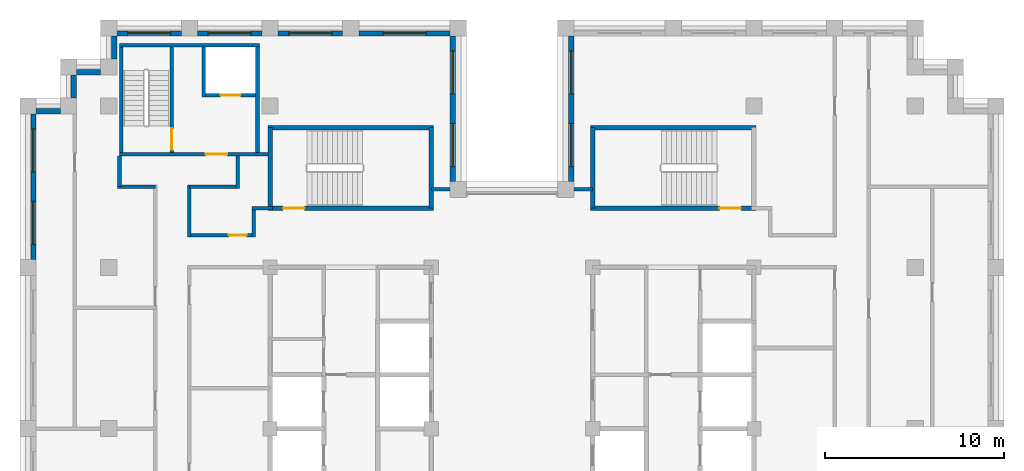
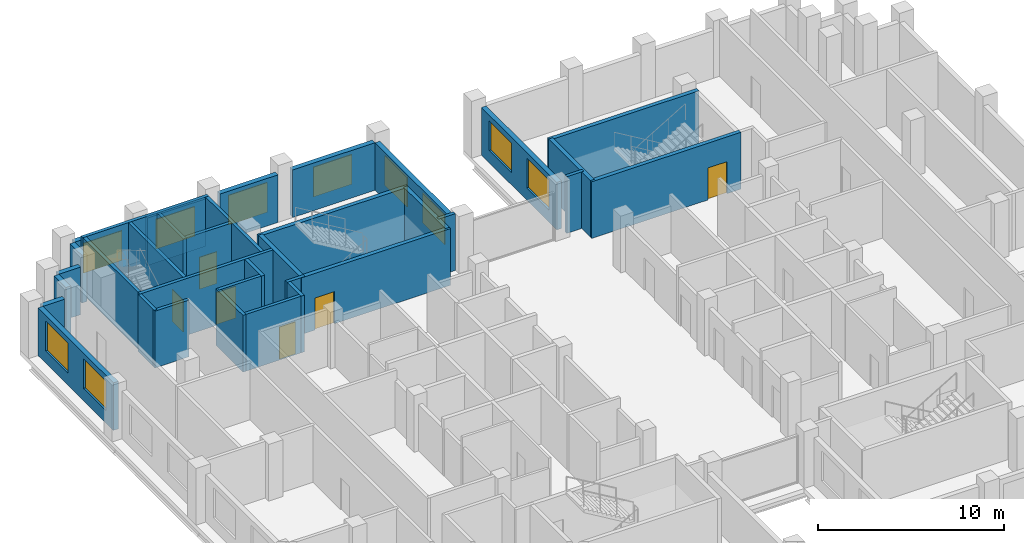
# One storey, part 10 of 13: 35 walls, 10 windows, 6 doors, 16 openings.
"""IFC4 building model written with IfcOpenShell, lengths in metres."""

import ifcopenshell
import ifcopenshell.guid

model = None  # the IFC model being written
_history = None  # IfcOwnerHistory: only IFC2X3 demands one
_inside = {}  # id of a spatial element -> (the spatial element, [elements in it])
_under = {}  # id of a project, library or spatial element -> (it, [spatial elements below it])
_declared = {}  # id of a project -> (the project, [libraries it declares])
_typed = {}  # id of a type object -> (the type object, [elements of that type])
_made_of = {}  # id of a material, layer set ... -> (it, [elements and type objects made of it])


def new_model(schema):
    """Start an empty IFC model of exactly this schema.

    Asked for "IFC4X3", IfcOpenShell would pick the latest addendum, in which some entities
    have other attributes; the version numbers below select the first issue.
    IFC2X3 requires an IfcOwnerHistory on every rooted entity: one is made here for all.
    """
    global model, _history
    if schema == "IFC4X3":
        model = ifcopenshell.file(schema_version=(4, 3, 0, 0))
    else:
        model = ifcopenshell.file(schema=schema)
    _inside.clear()
    _under.clear()
    _declared.clear()
    _typed.clear()
    _made_of.clear()
    _history = None
    if model.schema == "IFC2X3":
        org = make("IfcOrganization", Name="unknown")
        user = make(
            "IfcPersonAndOrganization",
            ThePerson=make("IfcPerson", FamilyName="unknown"),
            TheOrganization=org,
        )
        app = make(
            "IfcApplication",
            ApplicationDeveloper=org,
            Version="unknown",
            ApplicationFullName="unknown",
            ApplicationIdentifier="unknown",
        )
        _history = make(
            "IfcOwnerHistory",
            OwningUser=user,
            OwningApplication=app,
            ChangeAction="ADDED",
            CreationDate=0,
        )
    return model


def make(cls, **values):
    """One entity of the class cls with the attributes given. An attribute that is None is left unset."""
    return model.create_entity(
        cls, **{name: value for name, value in values.items() if value is not None}
    )


def rooted(cls, **values):
    """An entity with a GlobalId (a new one), such as an element, a storey or a relation."""
    return make(cls, GlobalId=ifcopenshell.guid.new(), OwnerHistory=_history, **values)


def si_unit(unit_type, name, prefix=None):
    """IfcSIUnit, for example si_unit("LENGTHUNIT", "METRE", prefix="MILLI")."""
    return make("IfcSIUnit", UnitType=unit_type, Prefix=prefix, Name=name)


def assignment(units):
    """IfcUnitAssignment: the units of a project."""
    return None if units is None else make("IfcUnitAssignment", Units=units)


def point(xyz):
    """IfcCartesianPoint."""
    return None if xyz is None else make("IfcCartesianPoint", Coordinates=xyz)


def direction(xyz):
    """IfcDirection."""
    return None if xyz is None else make("IfcDirection", DirectionRatios=xyz)


def frame(location, z_axis=None, x_axis=None):
    """IfcAxis2Placement3D, a coordinate frame: its origin and axes. An axis left out is left unset."""
    return make(
        "IfcAxis2Placement3D",
        Location=point(location),
        Axis=direction(z_axis),
        RefDirection=direction(x_axis),
    )


def frame_2d(location, x_axis=None):
    """IfcAxis2Placement2D, a coordinate frame in the plane: its origin and x axis."""
    return make(
        "IfcAxis2Placement2D", Location=point(location), RefDirection=direction(x_axis)
    )


def origin():
    """The frame at (0, 0, 0) with its axes left unset."""
    return frame((0.0, 0.0, 0.0))


def place(relative_to, where):
    """IfcLocalPlacement: puts the frame where relative to a parent placement (None: the world)."""
    return make(
        "IfcLocalPlacement", PlacementRelTo=relative_to, RelativePlacement=where
    )


def context(
    kind, dimensions, precision=None, world=None, true_north=None, identifier=None
):
    """IfcGeometricRepresentationContext, for example the 3D "Model" context."""
    return make(
        "IfcGeometricRepresentationContext",
        ContextIdentifier=identifier,
        ContextType=kind,
        CoordinateSpaceDimension=dimensions,
        Precision=precision,
        WorldCoordinateSystem=world,
        TrueNorth=true_north,
    )


def subcontext(parent, identifier, kind, view, scale=None):
    """IfcGeometricRepresentationSubContext, for example "Body" below "Model"."""
    return make(
        "IfcGeometricRepresentationSubContext",
        ContextIdentifier=identifier,
        ContextType=kind,
        ParentContext=parent,
        TargetScale=scale,
        TargetView=view,
    )


def project(units=None, contexts=None):
    """IfcProject with its units and contexts."""
    return rooted(
        "IfcProject",
        Name="project",
        RepresentationContexts=contexts,
        UnitsInContext=assignment(units),
    )


def spatial(cls, under=None, at=None, **own):
    """A site, building, storey or space (cls), placed at a placement, below another one or the project."""
    s = rooted(cls, ObjectPlacement=at, **own)
    if under is not None:
        _under.setdefault(under.id(), (under, []))[1].append(s)
    return s


def profile(cls, at=None, kind="AREA", **sizes):
    """A parametric profile (cls). Its sizes go by their IFC names, for example OverallWidth=200.0."""
    return make(cls, ProfileType=kind, Position=at, **sizes)


def rectangle(**sizes):
    """IfcRectangleProfileDef."""
    return profile("IfcRectangleProfileDef", **sizes)


def extrude(swept, where, along, depth):
    """IfcExtrudedAreaSolid: the profile swept, set in the frame where, extruded along a direction by depth."""
    return make(
        "IfcExtrudedAreaSolid",
        SweptArea=swept,
        Position=where,
        ExtrudedDirection=direction(along),
        Depth=depth,
    )


def shape(context_of_items, identifier, shape_type, items):
    """IfcShapeRepresentation: the items that make up one representation, for example the "Body"."""
    return make(
        "IfcShapeRepresentation",
        ContextOfItems=context_of_items,
        RepresentationIdentifier=identifier,
        RepresentationType=shape_type,
        Items=items,
    )


def material(Name=None, Category=None):
    """IfcMaterial."""
    return make("IfcMaterial", Name=Name, Category=Category)


def layer(
    of_material, thickness, ventilated=None, Name=None, Category=None, Priority=None
):
    """IfcMaterialLayer: one layer of a wall or slab, of a material (None: an air gap)."""
    return make(
        "IfcMaterialLayer",
        Material=of_material,
        LayerThickness=thickness,
        IsVentilated=ventilated,
        Name=Name,
        Category=Category,
        Priority=Priority,
    )


def layer_set(layers, Name=None):
    """IfcMaterialLayerSet."""
    return make("IfcMaterialLayerSet", MaterialLayers=layers, LayerSetName=Name)


def made_of(thing, what):
    """Note that an element or type object is made of a material, layer set ...; save() writes the relation."""
    if what is not None:
        _made_of.setdefault(what.id(), (what, []))[1].append(thing)
    return thing


def type_object(cls, material=None, **own):
    """A type object (cls), such as IfcWallType, which elements share."""
    return made_of(rooted(cls, **own), material)


def element(
    cls,
    number,
    at=None,
    inside=None,
    cuts=None,
    type_object=None,
    material=None,
    context=None,
    identifier="Body",
    shape_type=None,
    held_by="IfcProductDefinitionShape",
    body=None,
    shapes=None,
    **own,
):
    """One element of the class cls, such as IfcWall. Its Tag is "e" and its number.

    at: its placement. inside: the storey or other place that contains it. cuts: it is an
    opening in that element (IfcRelVoidsElement). A single representation is given by context,
    identifier, shape_type and body (its items); several are given by shapes. held_by: the class
    of the entity that holds the representations. save() writes the other relations.
    """
    e = rooted(cls, Tag="e%d" % number, ObjectPlacement=at, **own)
    if body is not None:
        shapes = [shape(context, identifier, shape_type, body)]
    if shapes is not None:
        e.Representation = make(held_by, Representations=shapes)
    if inside is not None:
        _inside.setdefault(inside.id(), (inside, []))[1].append(e)
    if cuts is not None:
        rooted(
            "IfcRelVoidsElement", RelatingBuildingElement=cuts, RelatedOpeningElement=e
        )
    if type_object is not None:
        _typed.setdefault(type_object.id(), (type_object, []))[1].append(e)
    return made_of(e, material)


def fill(opening, filler):
    """IfcRelFillsElement: the door or window that sits in an opening."""
    return rooted(
        "IfcRelFillsElement",
        RelatingOpeningElement=opening,
        RelatedBuildingElement=filler,
    )


def aggregate(whole, parts):
    """IfcRelAggregates: a whole, such as a stair, and the parts it consists of."""
    return rooted("IfcRelAggregates", RelatingObject=whole, RelatedObjects=parts)


def save(model, path):
    """Write the relations noted so far, then the file.

    IfcRelAggregates (storeys below a building ...), IfcRelContainedInSpatialStructure (elements
    in a storey), IfcRelDefinesByType, IfcRelAssociatesMaterial and IfcRelDeclares: one each for
    every whole, place, type object, material and project.
    """
    for whole, parts in _under.values():
        aggregate(whole, parts)
    for where, things in _inside.values():
        rooted(
            "IfcRelContainedInSpatialStructure",
            RelatedElements=things,
            RelatingStructure=where,
        )
    for kind, things in _typed.values():
        rooted("IfcRelDefinesByType", RelatedObjects=things, RelatingType=kind)
    for what, things in _made_of.values():
        rooted("IfcRelAssociatesMaterial", RelatedObjects=things, RelatingMaterial=what)
    for by, libraries in _declared.values():
        rooted("IfcRelDeclares", RelatingContext=by, RelatedDefinitions=libraries)
    model.write(path)


model = new_model("IFC4")

# Units and contexts
model_context = context("Model", 3, precision=1e-05, world=origin(), true_north=direction((0.0, 1.0)))
body_context = subcontext(model_context, "Body", "Model", "MODEL_VIEW")
ifc_project = project(units=[si_unit("LENGTHUNIT", "METRE"), si_unit("AREAUNIT", "SQUARE_METRE"), si_unit("VOLUMEUNIT", "CUBIC_METRE"), si_unit("PLANEANGLEUNIT", "RADIAN"), si_unit("MASSUNIT", "GRAM", prefix="KILO")], contexts=[model_context])

# Site, building, storey
site_placement = place(None, origin())
site = spatial("IfcSite", under=ifc_project, at=site_placement, CompositionType="ELEMENT")
building_placement = place(site_placement, origin())
building = spatial("IfcBuilding", under=site, at=building_placement, Name="Corbelhall Arena Tower", CompositionType="ELEMENT")
storey_placement = place(building_placement, frame((0.0, 0.0, 250.0)))
storey = spatial("IfcBuildingStorey", under=building, at=storey_placement, Name="L53", CompositionType="ELEMENT", Elevation=250.0)

# Walls
ifc_material_1 = material(Name="Precast concrete C40/50 with granite facing", Category="masonry")
ifc_layer_1 = layer(ifc_material_1, 0.300048828125)
ifc_layer_set_1 = layer_set([ifc_layer_1], Name="EV-IW1 Infill panel 300")
wall_type_1 = type_object("IfcWallType", Name="EV-IW1 Infill panel 300", PredefinedType="SOLIDWALL", material=ifc_layer_set_1)
wall_1_placement = place(storey_placement, frame((-24.449951171875, 19.72509765625, 0.0), z_axis=(0.0, 0.0, 1.0), x_axis=(0.0, -1.0, 0.0)))
element("IfcWall", 1, at=wall_1_placement, inside=storey, type_object=wall_type_1, Name="Infill panel IW1", PredefinedType="SOLIDWALL", context=body_context, shape_type="SweptSolid", body=[
    extrude(rectangle(XDim=1.275146484375, YDim=0.300048828125, at=frame_2d((0.6376953125, 0.0))), origin(), (0.0, 0.0, 1.0), 3.1201171875),
])
wall_2_placement = place(storey_placement, frame((-25.199951171875, 17.699951171875, 0.0), z_axis=(0.0, 0.0, 1.0), x_axis=(-1.0, 0.0, 0.0)))
element("IfcWall", 2, at=wall_2_placement, inside=storey, type_object=wall_type_1, Name="Infill panel IW1", PredefinedType="SOLIDWALL", context=body_context, shape_type="SweptSolid", body=[
    extrude(rectangle(XDim=1.35009765625, YDim=0.300048828125, at=frame_2d((0.675048828125, 0.0))), origin(), (0.0, 0.0, 1.0), 3.1201171875),
])

# Wall, openings, windows
wall_3_placement = place(storey_placement, frame((-26.699951171875, 17.550048828125, 0.0), z_axis=(0.0, 0.0, 1.0), x_axis=(0.0, -1.0, 0.0)))
wall_3 = element("IfcWall", 3, at=wall_3_placement, inside=storey, type_object=wall_type_1, Name="Infill panel IW1", PredefinedType="SOLIDWALL", context=body_context, shape_type="SweptSolid", body=[
    extrude(rectangle(XDim=8.10009765625, YDim=0.300048828125, at=frame_2d((4.050048828125, 0.0))), origin(), (0.0, 0.0, 1.0), 3.1201171875),
])
opening_1_placement = place(wall_3_placement, frame((0.824951171875, 0.0, 0.800048828125)))
opening_1 = element("IfcOpeningElement", 4, at=opening_1_placement, cuts=wall_3, Name="Opening WN1", PredefinedType="OPENING", context=body_context, shape_type="SweptSolid", body=[
    extrude(rectangle(XDim=2.39990234375, YDim=1.949951171875, at=frame_2d((1.199951171875, 0.97509765625))), frame((0.0, 0.14990234375, 0.0), z_axis=(0.0, -1.0, 0.0), x_axis=(1.0, 0.0, 0.0)), (0.0, 0.0, 1.0), 0.300048828125),
])
opening_2_placement = place(wall_3_placement, frame((4.875, 0.0, 0.800048828125)))
opening_2 = element("IfcOpeningElement", 5, at=opening_2_placement, cuts=wall_3, Name="Opening WN1", PredefinedType="OPENING", context=body_context, shape_type="SweptSolid", body=[
    extrude(rectangle(XDim=2.39990234375, YDim=1.949951171875, at=frame_2d((1.199951171875, 0.97509765625))), frame((0.0, 0.14990234375, 0.0), z_axis=(0.0, -1.0, 0.0), x_axis=(1.0, 0.0, 0.0)), (0.0, 0.0, 1.0), 0.300048828125),
])
ifc_material_2 = material(Name="Aluminium black anodised", Category="aluminium")
window_type = type_object("IfcWindowType", Name="EV-WN1 Office window", PartitioningType="SINGLE_PANEL", PredefinedType="WINDOW", material=ifc_material_2)
window_1_placement = place(opening_1_placement, origin())
window_1 = element("IfcWindow", 6, at=window_1_placement, inside=storey, type_object=window_type, Name="Window WN1", OverallHeight=1.949951171875, OverallWidth=2.39990234375, PartitioningType="SINGLE_PANEL", PredefinedType="WINDOW", context=body_context, shape_type="SweptSolid", body=[
    extrude(rectangle(XDim=2.39990234375, YDim=1.949951171875, at=frame_2d((1.199951171875, 0.97509765625))), frame((0.0, 0.030029296875, 0.0), z_axis=(0.0, -1.0, 0.0), x_axis=(1.0, 0.0, 0.0)), (0.0, 0.0, 1.0), 0.06005859375),
])
fill(opening_1, window_1)
window_2_placement = place(opening_2_placement, origin())
window_2 = element("IfcWindow", 7, at=window_2_placement, inside=storey, type_object=window_type, Name="Window WN1", OverallHeight=1.949951171875, OverallWidth=2.39990234375, PartitioningType="SINGLE_PANEL", PredefinedType="WINDOW", context=body_context, shape_type="SweptSolid", body=[
    extrude(rectangle(XDim=2.39990234375, YDim=1.949951171875, at=frame_2d((1.199951171875, 0.97509765625))), frame((0.0, 0.030029296875, 0.0), z_axis=(0.0, -1.0, 0.0), x_axis=(1.0, 0.0, 0.0)), (0.0, 0.0, 1.0), 0.06005859375),
])
fill(opening_2, window_2)

wall_4_placement = place(storey_placement, frame((3.300048828125, 21.89990234375, 0.0), z_axis=(0.0, 0.0, 1.0), x_axis=(0.0, -1.0, 0.0)))
wall_4 = element("IfcWall", 8, at=wall_4_placement, inside=storey, type_object=wall_type_1, Name="Infill panel IW1", PredefinedType="SOLIDWALL", context=body_context, shape_type="SweptSolid", body=[
    extrude(rectangle(XDim=8.099853515625, YDim=0.300048828125, at=frame_2d((4.0498046875, 0.0))), origin(), (0.0, 0.0, 1.0), 3.1201171875),
])
opening_3_placement = place(wall_4_placement, frame((0.824951171875, 0.0, 0.800048828125)))
opening_3 = element("IfcOpeningElement", 9, at=opening_3_placement, cuts=wall_4, Name="Opening WN1", PredefinedType="OPENING", context=body_context, shape_type="SweptSolid", body=[
    extrude(rectangle(XDim=2.39990234375, YDim=1.949951171875, at=frame_2d((1.199951171875, 0.97509765625))), frame((0.0, 0.14990234375, 0.0), z_axis=(0.0, -1.0, 0.0), x_axis=(1.0, 0.0, 0.0)), (0.0, 0.0, 1.0), 0.300048828125),
])
opening_4_placement = place(wall_4_placement, frame((4.875, 0.0, 0.800048828125)))
opening_4 = element("IfcOpeningElement", 10, at=opening_4_placement, cuts=wall_4, Name="Opening WN1", PredefinedType="OPENING", context=body_context, shape_type="SweptSolid", body=[
    extrude(rectangle(XDim=2.39990234375, YDim=1.949951171875, at=frame_2d((1.199951171875, 0.97509765625))), frame((0.0, 0.14990234375, 0.0), z_axis=(0.0, -1.0, 0.0), x_axis=(1.0, 0.0, 0.0)), (0.0, 0.0, 1.0), 0.300048828125),
])
window_3_placement = place(opening_3_placement, origin())
window_3 = element("IfcWindow", 11, at=window_3_placement, inside=storey, type_object=window_type, Name="Window WN1", OverallHeight=1.949951171875, OverallWidth=2.39990234375, PartitioningType="SINGLE_PANEL", PredefinedType="WINDOW", context=body_context, shape_type="SweptSolid", body=[
    extrude(rectangle(XDim=2.39990234375, YDim=1.949951171875, at=frame_2d((1.199951171875, 0.97509765625))), frame((0.0, 0.030029296875, 0.0), z_axis=(0.0, -1.0, 0.0), x_axis=(1.0, 0.0, 0.0)), (0.0, 0.0, 1.0), 0.06005859375),
])
fill(opening_3, window_3)
window_4_placement = place(opening_4_placement, origin())
window_4 = element("IfcWindow", 12, at=window_4_placement, inside=storey, type_object=window_type, Name="Window WN1", OverallHeight=1.949951171875, OverallWidth=2.39990234375, PartitioningType="SINGLE_PANEL", PredefinedType="WINDOW", context=body_context, shape_type="SweptSolid", body=[
    extrude(rectangle(XDim=2.39990234375, YDim=1.949951171875, at=frame_2d((1.199951171875, 0.97509765625))), frame((0.0, 0.030029296875, 0.0), z_axis=(0.0, -1.0, 0.0), x_axis=(1.0, 0.0, 0.0)), (0.0, 0.0, 1.0), 0.06005859375),
])
fill(opening_4, window_4)

wall_5_placement = place(storey_placement, frame((-3.300048828125, 13.800048828125, 0.0), z_axis=(0.0, 0.0, 1.0), x_axis=(0.0, 1.0, 0.0)))
wall_5 = element("IfcWall", 13, at=wall_5_placement, inside=storey, type_object=wall_type_1, Name="Infill panel IW1", PredefinedType="SOLIDWALL", context=body_context, shape_type="SweptSolid", body=[
    extrude(rectangle(XDim=8.099853515625, YDim=0.300048828125, at=frame_2d((4.0498046875, 0.0))), origin(), (0.0, 0.0, 1.0), 3.1201171875),
])
opening_5_placement = place(wall_5_placement, frame((0.824951171875, 0.0, 0.800048828125)))
opening_5 = element("IfcOpeningElement", 14, at=opening_5_placement, cuts=wall_5, Name="Opening WN1", PredefinedType="OPENING", context=body_context, shape_type="SweptSolid", body=[
    extrude(rectangle(XDim=2.39990234375, YDim=1.949951171875, at=frame_2d((1.199951171875, 0.97509765625))), frame((0.0, 0.14990234375, 0.0), z_axis=(0.0, -1.0, 0.0), x_axis=(1.0, 0.0, 0.0)), (0.0, 0.0, 1.0), 0.300048828125),
])
opening_6_placement = place(wall_5_placement, frame((4.875, 0.0, 0.800048828125)))
opening_6 = element("IfcOpeningElement", 15, at=opening_6_placement, cuts=wall_5, Name="Opening WN1", PredefinedType="OPENING", context=body_context, shape_type="SweptSolid", body=[
    extrude(rectangle(XDim=2.39990234375, YDim=1.949951171875, at=frame_2d((1.199951171875, 0.97509765625))), frame((0.0, 0.14990234375, 0.0), z_axis=(0.0, -1.0, 0.0), x_axis=(1.0, 0.0, 0.0)), (0.0, 0.0, 1.0), 0.300048828125),
])
window_5_placement = place(opening_5_placement, origin())
window_5 = element("IfcWindow", 16, at=window_5_placement, inside=storey, type_object=window_type, Name="Window WN1", OverallHeight=1.949951171875, OverallWidth=2.39990234375, PartitioningType="SINGLE_PANEL", PredefinedType="WINDOW", context=body_context, shape_type="SweptSolid", body=[
    extrude(rectangle(XDim=2.39990234375, YDim=1.949951171875, at=frame_2d((1.199951171875, 0.97509765625))), frame((0.0, 0.030029296875, 0.0), z_axis=(0.0, -1.0, 0.0), x_axis=(1.0, 0.0, 0.0)), (0.0, 0.0, 1.0), 0.06005859375),
])
fill(opening_5, window_5)
window_6_placement = place(opening_6_placement, origin())
window_6 = element("IfcWindow", 17, at=window_6_placement, inside=storey, type_object=window_type, Name="Window WN1", OverallHeight=1.949951171875, OverallWidth=2.39990234375, PartitioningType="SINGLE_PANEL", PredefinedType="WINDOW", context=body_context, shape_type="SweptSolid", body=[
    extrude(rectangle(XDim=2.39990234375, YDim=1.949951171875, at=frame_2d((1.199951171875, 0.97509765625))), frame((0.0, 0.030029296875, 0.0), z_axis=(0.0, -1.0, 0.0), x_axis=(1.0, 0.0, 0.0)), (0.0, 0.0, 1.0), 0.06005859375),
])
fill(opening_6, window_6)

# Wall, opening, window
wall_6_placement = place(storey_placement, frame((-3.449951171875, 22.050048828125, 0.0), z_axis=(0.0, 0.0, 1.0), x_axis=(-1.0, 0.0, 0.0)))
wall_6 = element("IfcWall", 18, at=wall_6_placement, inside=storey, type_object=wall_type_1, Name="Infill panel IW1", PredefinedType="SOLIDWALL", context=body_context, shape_type="SweptSolid", body=[
    extrude(rectangle(XDim=5.10009765625, YDim=0.300048828125, at=frame_2d((2.550048828125, 0.0))), origin(), (0.0, 0.0, 1.0), 3.1201171875),
])
opening_7_placement = place(wall_6_placement, frame((1.35009765625, 0.0, 0.800048828125)))
opening_7 = element("IfcOpeningElement", 19, at=opening_7_placement, cuts=wall_6, Name="Opening WN1", PredefinedType="OPENING", context=body_context, shape_type="SweptSolid", body=[
    extrude(rectangle(XDim=2.39990234375, YDim=1.949951171875, at=frame_2d((1.199951171875, 0.97509765625))), frame((0.0, 0.14990234375, 0.0), z_axis=(0.0, -1.0, 0.0), x_axis=(1.0, 0.0, 0.0)), (0.0, 0.0, 1.0), 0.300048828125),
])
window_7_placement = place(opening_7_placement, origin())
window_7 = element("IfcWindow", 20, at=window_7_placement, inside=storey, type_object=window_type, Name="Window WN1", OverallHeight=1.949951171875, OverallWidth=2.39990234375, PartitioningType="SINGLE_PANEL", PredefinedType="WINDOW", context=body_context, shape_type="SweptSolid", body=[
    extrude(rectangle(XDim=2.39990234375, YDim=1.949951171875, at=frame_2d((1.199951171875, 0.97509765625))), frame((0.0, 0.030029296875, 0.0), z_axis=(0.0, -1.0, 0.0), x_axis=(1.0, 0.0, 0.0)), (0.0, 0.0, 1.0), 0.06005859375),
])
fill(opening_7, window_7)

wall_7_placement = place(storey_placement, frame((-9.449951171875, 22.050048828125, 0.0), z_axis=(0.0, 0.0, 1.0), x_axis=(-1.0, 0.0, 0.0)))
wall_7 = element("IfcWall", 21, at=wall_7_placement, inside=storey, type_object=wall_type_1, Name="Infill panel IW1", PredefinedType="SOLIDWALL", context=body_context, shape_type="SweptSolid", body=[
    extrude(rectangle(XDim=3.60009765625, YDim=0.300048828125, at=frame_2d((1.800048828125, 0.0))), origin(), (0.0, 0.0, 1.0), 3.1201171875),
])
opening_8_placement = place(wall_7_placement, frame((0.60009765625, 0.0, 0.800048828125)))
opening_8 = element("IfcOpeningElement", 22, at=opening_8_placement, cuts=wall_7, Name="Opening WN1", PredefinedType="OPENING", context=body_context, shape_type="SweptSolid", body=[
    extrude(rectangle(XDim=2.39990234375, YDim=1.949951171875, at=frame_2d((1.199951171875, 0.97509765625))), frame((0.0, 0.14990234375, 0.0), z_axis=(0.0, -1.0, 0.0), x_axis=(1.0, 0.0, 0.0)), (0.0, 0.0, 1.0), 0.300048828125),
])
window_8_placement = place(opening_8_placement, origin())
window_8 = element("IfcWindow", 23, at=window_8_placement, inside=storey, type_object=window_type, Name="Window WN1", OverallHeight=1.949951171875, OverallWidth=2.39990234375, PartitioningType="SINGLE_PANEL", PredefinedType="WINDOW", context=body_context, shape_type="SweptSolid", body=[
    extrude(rectangle(XDim=2.39990234375, YDim=1.949951171875, at=frame_2d((1.199951171875, 0.97509765625))), frame((0.0, 0.030029296875, 0.0), z_axis=(0.0, -1.0, 0.0), x_axis=(1.0, 0.0, 0.0)), (0.0, 0.0, 1.0), 0.06005859375),
])
fill(opening_8, window_8)

wall_8_placement = place(storey_placement, frame((-13.949951171875, 22.050048828125, 0.0), z_axis=(0.0, 0.0, 1.0), x_axis=(-1.0, 0.0, 0.0)))
wall_8 = element("IfcWall", 24, at=wall_8_placement, inside=storey, type_object=wall_type_1, Name="Infill panel IW1", PredefinedType="SOLIDWALL", context=body_context, shape_type="SweptSolid", body=[
    extrude(rectangle(XDim=3.60009765625, YDim=0.300048828125, at=frame_2d((1.800048828125, 0.0))), origin(), (0.0, 0.0, 1.0), 3.1201171875),
])
opening_9_placement = place(wall_8_placement, frame((0.60009765625, 0.0, 0.800048828125)))
opening_9 = element("IfcOpeningElement", 25, at=opening_9_placement, cuts=wall_8, Name="Opening WN1", PredefinedType="OPENING", context=body_context, shape_type="SweptSolid", body=[
    extrude(rectangle(XDim=2.39990234375, YDim=1.949951171875, at=frame_2d((1.199951171875, 0.97509765625))), frame((0.0, 0.14990234375, 0.0), z_axis=(0.0, -1.0, 0.0), x_axis=(1.0, 0.0, 0.0)), (0.0, 0.0, 1.0), 0.300048828125),
])
window_9_placement = place(opening_9_placement, origin())
window_9 = element("IfcWindow", 26, at=window_9_placement, inside=storey, type_object=window_type, Name="Window WN1", OverallHeight=1.949951171875, OverallWidth=2.39990234375, PartitioningType="SINGLE_PANEL", PredefinedType="WINDOW", context=body_context, shape_type="SweptSolid", body=[
    extrude(rectangle(XDim=2.39990234375, YDim=1.949951171875, at=frame_2d((1.199951171875, 0.97509765625))), frame((0.0, 0.030029296875, 0.0), z_axis=(0.0, -1.0, 0.0), x_axis=(1.0, 0.0, 0.0)), (0.0, 0.0, 1.0), 0.06005859375),
])
fill(opening_9, window_9)

wall_9_placement = place(storey_placement, frame((-18.449951171875, 22.050048828125, 0.0), z_axis=(0.0, 0.0, 1.0), x_axis=(-1.0, 0.0, 0.0)))
wall_9 = element("IfcWall", 27, at=wall_9_placement, inside=storey, type_object=wall_type_1, Name="Infill panel IW1", PredefinedType="SOLIDWALL", context=body_context, shape_type="SweptSolid", body=[
    extrude(rectangle(XDim=3.60009765625, YDim=0.300048828125, at=frame_2d((1.800048828125, 0.0))), origin(), (0.0, 0.0, 1.0), 3.1201171875),
])
opening_10_placement = place(wall_9_placement, frame((0.60009765625, 0.0, 0.800048828125)))
opening_10 = element("IfcOpeningElement", 28, at=opening_10_placement, cuts=wall_9, Name="Opening WN1", PredefinedType="OPENING", context=body_context, shape_type="SweptSolid", body=[
    extrude(rectangle(XDim=2.39990234375, YDim=1.949951171875, at=frame_2d((1.199951171875, 0.97509765625))), frame((0.0, 0.14990234375, 0.0), z_axis=(0.0, -1.0, 0.0), x_axis=(1.0, 0.0, 0.0)), (0.0, 0.0, 1.0), 0.300048828125),
])
window_10_placement = place(opening_10_placement, origin())
window_10 = element("IfcWindow", 29, at=window_10_placement, inside=storey, type_object=window_type, Name="Window WN1", OverallHeight=1.949951171875, OverallWidth=2.39990234375, PartitioningType="SINGLE_PANEL", PredefinedType="WINDOW", context=body_context, shape_type="SweptSolid", body=[
    extrude(rectangle(XDim=2.39990234375, YDim=1.949951171875, at=frame_2d((1.199951171875, 0.97509765625))), frame((0.0, 0.030029296875, 0.0), z_axis=(0.0, -1.0, 0.0), x_axis=(1.0, 0.0, 0.0)), (0.0, 0.0, 1.0), 0.06005859375),
])
fill(opening_10, window_10)

# Walls
wall_10_placement = place(storey_placement, frame((-22.199951171875, 21.89990234375, 0.0), z_axis=(0.0, 0.0, 1.0), x_axis=(0.0, -1.0, 0.0)))
element("IfcWall", 30, at=wall_10_placement, inside=storey, type_object=wall_type_1, Name="Infill panel IW1", PredefinedType="SOLIDWALL", context=body_context, shape_type="SweptSolid", body=[
    extrude(rectangle(XDim=1.27490234375, YDim=0.300048828125, at=frame_2d((0.637451171875, 0.0))), origin(), (0.0, 0.0, 1.0), 3.1201171875),
])
wall_11_placement = place(storey_placement, frame((-22.949951171875, 19.875, 0.0), z_axis=(0.0, 0.0, 1.0), x_axis=(-1.0, 0.0, 0.0)))
element("IfcWall", 31, at=wall_11_placement, inside=storey, type_object=wall_type_1, Name="Infill panel IW1", PredefinedType="SOLIDWALL", context=body_context, shape_type="SweptSolid", body=[
    extrude(rectangle(XDim=1.35009765625, YDim=0.300048828125, at=frame_2d((0.675048828125, 0.0))), origin(), (0.0, 0.0, 1.0), 3.1201171875),
])
ifc_material_3 = material(Name="Gypsum board on steel stud, acoustic", Category="steel")
ifc_layer_2 = layer(ifc_material_3, 0.199951171875)
ifc_layer_set_2 = layer_set([ifc_layer_2], Name="IN-W-DM200")
wall_type_2 = type_object("IfcWallType", Name="IN-W-DM200", PredefinedType="PARTITIONING", material=ifc_layer_set_2)
wall_12_placement = place(storey_placement, frame((-21.89990234375, 13.5, 0.0), z_axis=(0.0, 0.0, 1.0), x_axis=(0.0, 1.0, 0.0)))
element("IfcWall", 32, at=wall_12_placement, inside=storey, type_object=wall_type_2, Name="Partition 005", PredefinedType="PARTITIONING", context=body_context, shape_type="SweptSolid", body=[
    extrude(rectangle(XDim=1.699951171875, YDim=0.199951171875, at=frame_2d((0.85009765625, 0.0))), origin(), (0.0, 0.0, 1.0), 3.719970703125),
])
wall_13_placement = place(storey_placement, frame((-19.89990234375, 13.5, 0.0), z_axis=(0.0, 0.0, 1.0), x_axis=(-1.0, 0.0, 0.0)))
element("IfcWall", 33, at=wall_13_placement, inside=storey, type_object=wall_type_2, Name="Partition 007", PredefinedType="PARTITIONING", context=body_context, shape_type="SweptSolid", body=[
    extrude(rectangle(XDim=2.10009765625, YDim=0.199951171875, at=frame_2d((1.050048828125, 0.0))), origin(), (0.0, 0.0, 1.0), 3.719970703125),
])

# Wall, opening, door
wall_14_placement = place(storey_placement, frame((-18.0, 10.800048828125, 0.0), z_axis=(0.0, 0.0, 1.0), x_axis=(1.0, 0.0, 0.0)))
wall_14 = element("IfcWall", 34, at=wall_14_placement, inside=storey, type_object=wall_type_2, Name="Partition 012", PredefinedType="PARTITIONING", context=body_context, shape_type="SweptSolid", body=[
    extrude(rectangle(XDim=3.60009765625, YDim=0.199951171875, at=frame_2d((1.800048828125, 0.0))), origin(), (0.0, 0.0, 1.0), 3.719970703125),
])
opening_11_placement = place(wall_14_placement, frame((2.199951171875, 0.0, 0.0)))
opening_11 = element("IfcOpeningElement", 35, at=opening_11_placement, cuts=wall_14, Name="Opening 16025", PredefinedType="OPENING", context=body_context, shape_type="SweptSolid", body=[
    extrude(rectangle(XDim=1.0, YDim=2.10009765625, at=frame_2d((0.5, 1.050048828125))), frame((0.0, 0.10009765625, 0.0), z_axis=(0.0, -1.0, 0.0), x_axis=(1.0, 0.0, 0.0)), (0.0, 0.0, 1.0), 0.199951171875),
])
ifc_material_4 = material(Name="Steel door set", Category="steel")
door_type_1 = type_object("IfcDoorType", Name="IN-D-SW100", OperationType="NOTDEFINED", PredefinedType="DOOR", material=ifc_material_4)
door_1_placement = place(opening_11_placement, origin())
door_1 = element("IfcDoor", 36, at=door_1_placement, inside=storey, type_object=door_type_1, Name="Door 025", OperationType="SINGLE_SWING_RIGHT", OverallHeight=2.10009765625, OverallWidth=1.0, PredefinedType="DOOR", context=body_context, shape_type="SweptSolid", body=[
    extrude(rectangle(XDim=1.0, YDim=2.10009765625, at=frame_2d((0.5, 1.050048828125))), frame((0.0, 0.02490234375, 0.0), z_axis=(0.0, -1.0, 0.0), x_axis=(1.0, 0.0, 0.0)), (0.0, 0.0, 1.0), 0.050048828125),
])
fill(opening_11, door_1)

# Walls
wall_15_placement = place(storey_placement, frame((-18.0, 13.60009765625, 0.0), z_axis=(0.0, 0.0, 1.0), x_axis=(0.0, -1.0, 0.0)))
element("IfcWall", 37, at=wall_15_placement, inside=storey, type_object=wall_type_2, Name="Partition 013", PredefinedType="PARTITIONING", context=body_context, shape_type="SweptSolid", body=[
    extrude(rectangle(XDim=2.900146484375, YDim=0.199951171875, at=frame_2d((1.4501953125, 0.0))), origin(), (0.0, 0.0, 1.0), 3.719970703125),
])
wall_16_placement = place(storey_placement, frame((-15.300048828125, 13.5, 0.0), z_axis=(0.0, 0.0, 1.0), x_axis=(-1.0, 0.0, 0.0)))
element("IfcWall", 38, at=wall_16_placement, inside=storey, type_object=wall_type_2, Name="Partition 014", PredefinedType="PARTITIONING", context=body_context, shape_type="SweptSolid", body=[
    extrude(rectangle(XDim=2.699951171875, YDim=0.199951171875, at=frame_2d((1.35009765625, 0.0))), origin(), (0.0, 0.0, 1.0), 3.719970703125),
])
wall_17_placement = place(storey_placement, frame((-15.300048828125, 15.199951171875, 0.0), z_axis=(0.0, 0.0, 1.0), x_axis=(0.0, -1.0, 0.0)))
element("IfcWall", 39, at=wall_17_placement, inside=storey, type_object=wall_type_2, Name="Partition 015", PredefinedType="PARTITIONING", context=body_context, shape_type="SweptSolid", body=[
    extrude(rectangle(XDim=1.800048828125, YDim=0.199951171875, at=frame_2d((0.89990234375, 0.0))), origin(), (0.0, 0.0, 1.0), 3.719970703125),
])
wall_18_placement = place(storey_placement, frame((-14.5, 12.300048828125, 0.0), z_axis=(0.0, 0.0, 1.0), x_axis=(1.0, 0.0, 0.0)))
element("IfcWall", 40, at=wall_18_placement, inside=storey, type_object=wall_type_2, Name="Partition 016", PredefinedType="PARTITIONING", context=body_context, shape_type="SweptSolid", body=[
    extrude(rectangle(XDim=1.125, YDim=0.199951171875, at=frame_2d((0.5625, 0.0))), origin(), (0.0, 0.0, 1.0), 3.719970703125),
])
wall_19_placement = place(storey_placement, frame((-14.39990234375, 10.699951171875, 0.0), z_axis=(0.0, 0.0, 1.0), x_axis=(0.0, 1.0, 0.0)))
element("IfcWall", 41, at=wall_19_placement, inside=storey, type_object=wall_type_2, Name="Partition 020", PredefinedType="PARTITIONING", context=body_context, shape_type="SweptSolid", body=[
    extrude(rectangle(XDim=1.60009765625, YDim=0.199951171875, at=frame_2d((0.800048828125, 0.0))), origin(), (0.0, 0.0, 1.0), 3.719970703125),
])
for number, where, z_axis, x_axis, name in (
    (42, (-4.5, 13.35009765625, 0.0), (0.0, 0.0, 1.0), (1.0, 0.0, 0.0), "Partition 022"),
    (43, (3.449951171875, 13.35009765625, 0.0), (0.0, 0.0, 1.0), (1.0, 0.0, 0.0), "Partition 024"),
):
    element("IfcWall", number, at=place(storey_placement, frame(where, z_axis=z_axis, x_axis=x_axis)), inside=storey, type_object=wall_type_2, Name=name, PredefinedType="PARTITIONING", context=body_context, shape_type="SweptSolid", body=[
        extrude(rectangle(XDim=1.050048828125, YDim=0.199951171875, at=frame_2d((0.52490234375, 0.0))), origin(), (0.0, 0.0, 1.0), 3.719970703125),
    ])

# Wall, opening, door
ifc_material_5 = material(Name="Concrete C40/50", Category="concrete")
ifc_layer_3 = layer(ifc_material_5, 0.199951171875)
ifc_layer_set_3 = layer_set([ifc_layer_3], Name="IN-W-EAR200")
wall_type_3 = type_object("IfcWallType", Name="IN-W-EAR200", PredefinedType="SOLIDWALL", material=ifc_layer_set_3)
wall_20_placement = place(storey_placement, frame((-21.89990234375, 15.300048828125, 0.0), z_axis=(0.0, 0.0, 1.0), x_axis=(1.0, 0.0, 0.0)))
wall_20 = element("IfcWall", 44, at=wall_20_placement, inside=storey, type_object=wall_type_3, Name="Fire service turret wall south", PredefinedType="SOLIDWALL", context=body_context, shape_type="SweptSolid", body=[
    extrude(rectangle(XDim=8.27490234375, YDim=0.199951171875, at=frame_2d((4.137451171875, 0.0))), origin(), (0.0, 0.0, 1.0), 3.719970703125),
])
opening_12_placement = place(wall_20_placement, frame((4.800048828125, 0.0, 0.0)))
opening_12 = element("IfcOpeningElement", 45, at=opening_12_placement, cuts=wall_20, Name="Opening E162", PredefinedType="OPENING", context=body_context, shape_type="SweptSolid", body=[
    extrude(rectangle(XDim=1.199951171875, YDim=2.10009765625, at=frame_2d((0.60009765625, 1.050048828125))), frame((0.0, 0.10009765625, 0.0), z_axis=(0.0, -1.0, 0.0), x_axis=(1.0, 0.0, 0.0)), (0.0, 0.0, 1.0), 0.199951171875),
])
door_type_2 = type_object("IfcDoorType", Name="IN-D-ST120", OperationType="NOTDEFINED", PredefinedType="DOOR", material=ifc_material_4)
door_2_placement = place(opening_12_placement, origin())
door_2 = element("IfcDoor", 46, at=door_2_placement, inside=storey, type_object=door_type_2, Name="Door from fire service lift lobby to circulation", OperationType="SINGLE_SWING_RIGHT", OverallHeight=2.10009765625, OverallWidth=1.199951171875, PredefinedType="DOOR", context=body_context, shape_type="SweptSolid", body=[
    extrude(rectangle(XDim=1.199951171875, YDim=2.10009765625, at=frame_2d((0.60009765625, 1.050048828125))), frame((0.0, 0.02490234375, 0.0), z_axis=(0.0, -1.0, 0.0), x_axis=(1.0, 0.0, 0.0)), (0.0, 0.0, 1.0), 0.050048828125),
])
fill(opening_12, door_2)

# Walls
wall_21_placement = place(storey_placement, frame((-21.89990234375, 21.39990234375, 0.0), z_axis=(0.0, 0.0, 1.0), x_axis=(1.0, 0.0, 0.0)))
element("IfcWall", 47, at=wall_21_placement, inside=storey, type_object=wall_type_3, Name="Fire service turret wall north", PredefinedType="SOLIDWALL", context=body_context, shape_type="SweptSolid", body=[
    extrude(rectangle(XDim=7.7998046875, YDim=0.199951171875, at=frame_2d((3.89990234375, 0.0))), origin(), (0.0, 0.0, 1.0), 3.719970703125),
])
for number, where, z_axis, x_axis, name in (
    (48, (-21.800048828125, 15.39990234375, 0.0), (0.0, 0.0, 1.0), (0.0, 1.0, 0.0), "Fire service turret wall west"),
    (49, (-14.199951171875, 15.39990234375, 0.0), (0.0, 0.0, 1.0), (0.0, 1.0, 0.0), "Fire service turret wall east"),
):
    element("IfcWall", number, at=place(storey_placement, frame(where, z_axis=z_axis, x_axis=x_axis)), inside=storey, type_object=wall_type_3, Name=name, PredefinedType="SOLIDWALL", context=body_context, shape_type="SweptSolid", body=[
        extrude(rectangle(XDim=5.900146484375, YDim=0.199951171875, at=frame_2d((2.9501953125, 0.0))), origin(), (0.0, 0.0, 1.0), 3.719970703125),
    ])

# Wall, opening, door
wall_22_placement = place(storey_placement, frame((-18.989990234375, 15.39990234375, 0.0), z_axis=(0.0, 0.0, 1.0), x_axis=(0.0, 1.0, 0.0)))
wall_22 = element("IfcWall", 50, at=wall_22_placement, inside=storey, type_object=wall_type_3, Name="Fire service turret wall stair", PredefinedType="SOLIDWALL", context=body_context, shape_type="SweptSolid", body=[
    extrude(rectangle(XDim=5.900146484375, YDim=0.199951171875, at=frame_2d((2.9501953125, 0.0))), origin(), (0.0, 0.0, 1.0), 3.719970703125),
])
opening_13_placement = place(wall_22_placement, frame((0.14990234375, 0.0, 0.0)))
opening_13 = element("IfcOpeningElement", 51, at=opening_13_placement, cuts=wall_22, Name="Opening E161", PredefinedType="OPENING", context=body_context, shape_type="SweptSolid", body=[
    extrude(rectangle(XDim=1.199951171875, YDim=2.10009765625, at=frame_2d((0.60009765625, 1.050048828125))), frame((0.0, 0.10009765625, 0.0), z_axis=(0.0, -1.0, 0.0), x_axis=(1.0, 0.0, 0.0)), (0.0, 0.0, 1.0), 0.199951171875),
])
door_3_placement = place(opening_13_placement, origin())
door_3 = element("IfcDoor", 52, at=door_3_placement, inside=storey, type_object=door_type_2, Name="Stair door to fire service lobby", OperationType="SINGLE_SWING_LEFT", OverallHeight=2.10009765625, OverallWidth=1.199951171875, PredefinedType="DOOR", context=body_context, shape_type="SweptSolid", body=[
    extrude(rectangle(XDim=1.199951171875, YDim=2.10009765625, at=frame_2d((0.60009765625, 1.050048828125))), frame((0.0, 0.02490234375, 0.0), z_axis=(0.0, -1.0, 0.0), x_axis=(1.0, 0.0, 0.0)), (0.0, 0.0, 1.0), 0.050048828125),
])
fill(opening_13, door_3)

# Wall
wall_23_placement = place(storey_placement, frame((-17.199951171875, 18.5, 0.0), z_axis=(0.0, 0.0, 1.0), x_axis=(0.0, 1.0, 0.0)))
element("IfcWall", 53, at=wall_23_placement, inside=storey, type_object=wall_type_3, Name="Fire service turret wall hoistway west", PredefinedType="SOLIDWALL", context=body_context, shape_type="SweptSolid", body=[
    extrude(rectangle(XDim=2.800048828125, YDim=0.199951171875, at=frame_2d((1.39990234375, 0.0))), origin(), (0.0, 0.0, 1.0), 3.719970703125),
])

# Wall, opening, door
wall_24_placement = place(storey_placement, frame((-17.10009765625, 18.60009765625, 0.0), z_axis=(0.0, 0.0, 1.0), x_axis=(1.0, 0.0, 0.0)))
wall_24 = element("IfcWall", 54, at=wall_24_placement, inside=storey, type_object=wall_type_3, Name="Fire service turret wall hoistway south", PredefinedType="SOLIDWALL", context=body_context, shape_type="SweptSolid", body=[
    extrude(rectangle(XDim=2.800048828125, YDim=0.199951171875, at=frame_2d((1.39990234375, 0.0))), origin(), (0.0, 0.0, 1.0), 3.719970703125),
])
opening_14_placement = place(wall_24_placement, frame((0.85009765625, 0.0, 0.0)))
opening_14 = element("IfcOpeningElement", 55, at=opening_14_placement, cuts=wall_24, Name="Opening LD", PredefinedType="OPENING", context=body_context, shape_type="SweptSolid", body=[
    extrude(rectangle(XDim=1.10009765625, YDim=2.10009765625, at=frame_2d((0.550048828125, 1.050048828125))), frame((0.0, 0.10009765625, 0.0), z_axis=(0.0, -1.0, 0.0), x_axis=(1.0, 0.0, 0.0)), (0.0, 0.0, 1.0), 0.199951171875),
])
door_type_3 = type_object("IfcDoorType", Name="IN-D-LD110", OperationType="NOTDEFINED", PredefinedType="DOOR", material=ifc_material_4)
door_4_placement = place(opening_14_placement, origin())
door_4 = element("IfcDoor", 56, at=door_4_placement, inside=storey, type_object=door_type_3, Name="Landing door FS1", OperationType="SLIDING_TO_LEFT", OverallHeight=2.10009765625, OverallWidth=1.10009765625, PredefinedType="DOOR", context=body_context, shape_type="SweptSolid", body=[
    extrude(rectangle(XDim=1.10009765625, YDim=2.10009765625, at=frame_2d((0.550048828125, 1.050048828125))), frame((0.0, 0.02490234375, 0.0), z_axis=(0.0, -1.0, 0.0), x_axis=(1.0, 0.0, 0.0)), (0.0, 0.0, 1.0), 0.050048828125),
])
fill(opening_14, door_4)

ifc_layer_4 = layer(ifc_material_5, 0.25)
ifc_layer_set_4 = layer_set([ifc_layer_4], Name="IN-W-ST250")
wall_type_4 = type_object("IfcWallType", Name="IN-W-ST250", PredefinedType="SOLIDWALL", material=ifc_layer_set_4)
wall_25_placement = place(storey_placement, frame((-13.625, 12.300048828125, 0.0), z_axis=(0.0, 0.0, 1.0), x_axis=(1.0, 0.0, 0.0)))
wall_25 = element("IfcWall", 57, at=wall_25_placement, inside=storey, type_object=wall_type_4, Name="Shaft wall 087", PredefinedType="SOLIDWALL", context=body_context, shape_type="SweptSolid", body=[
    extrude(rectangle(XDim=9.25, YDim=0.25, at=frame_2d((4.625, 0.0))), origin(), (0.0, 0.0, 1.0), 3.719970703125),
])
opening_15_placement = place(wall_25_placement, frame((0.85009765625, 0.0, 0.0)))
opening_15 = element("IfcOpeningElement", 58, at=opening_15_placement, cuts=wall_25, Name="Opening 16017", PredefinedType="OPENING", context=body_context, shape_type="SweptSolid", body=[
    extrude(rectangle(XDim=1.199951171875, YDim=2.10009765625, at=frame_2d((0.60009765625, 1.050048828125))), frame((0.0, 0.125, 0.0), z_axis=(0.0, -1.0, 0.0), x_axis=(1.0, 0.0, 0.0)), (0.0, 0.0, 1.0), 0.25),
])
door_5_placement = place(opening_15_placement, origin())
door_5 = element("IfcDoor", 59, at=door_5_placement, inside=storey, type_object=door_type_2, Name="Door 017", OperationType="SINGLE_SWING_RIGHT", OverallHeight=2.10009765625, OverallWidth=1.199951171875, PredefinedType="DOOR", context=body_context, shape_type="SweptSolid", body=[
    extrude(rectangle(XDim=1.199951171875, YDim=2.10009765625, at=frame_2d((0.60009765625, 1.050048828125))), frame((0.0, 0.02490234375, 0.0), z_axis=(0.0, -1.0, 0.0), x_axis=(1.0, 0.0, 0.0)), (0.0, 0.0, 1.0), 0.050048828125),
])
fill(opening_15, door_5)

# Walls
wall_26_placement = place(storey_placement, frame((-13.625, 16.800048828125, 0.0), z_axis=(0.0, 0.0, 1.0), x_axis=(1.0, 0.0, 0.0)))
element("IfcWall", 60, at=wall_26_placement, inside=storey, type_object=wall_type_4, Name="Shaft wall 088", PredefinedType="SOLIDWALL", context=body_context, shape_type="SweptSolid", body=[
    extrude(rectangle(XDim=9.25, YDim=0.25, at=frame_2d((4.625, 0.0))), origin(), (0.0, 0.0, 1.0), 3.719970703125),
])
for number, where, z_axis, x_axis, name in (
    (61, (-13.5, 12.300048828125, 0.0), (0.0, 0.0, 1.0), (0.0, 1.0, 0.0), "Shaft wall 090"),
    (62, (-4.5, 16.800048828125, 0.0), (0.0, 0.0, 1.0), (0.0, -1.0, 0.0), "Shaft wall 093"),
):
    element("IfcWall", number, at=place(storey_placement, frame(where, z_axis=z_axis, x_axis=x_axis)), inside=storey, type_object=wall_type_4, Name=name, PredefinedType="SOLIDWALL", context=body_context, shape_type="SweptSolid", body=[
        extrude(rectangle(XDim=4.5, YDim=0.25, at=frame_2d((2.25, 0.0))), origin(), (0.0, 0.0, 1.0), 3.719970703125),
    ])

# Wall, opening, door
wall_27_placement = place(storey_placement, frame((4.375, 12.300048828125, 0.0), z_axis=(0.0, 0.0, 1.0), x_axis=(1.0, 0.0, 0.0)))
wall_27 = element("IfcWall", 63, at=wall_27_placement, inside=storey, type_object=wall_type_4, Name="Shaft wall 095", PredefinedType="SOLIDWALL", context=body_context, shape_type="SweptSolid", body=[
    extrude(rectangle(XDim=9.25, YDim=0.25, at=frame_2d((4.625, 0.0))), origin(), (0.0, 0.0, 1.0), 3.719970703125),
])
opening_16_placement = place(wall_27_placement, frame((7.199951171875, 0.0, 0.0)))
opening_16 = element("IfcOpeningElement", 64, at=opening_16_placement, cuts=wall_27, Name="Opening 16019", PredefinedType="OPENING", context=body_context, shape_type="SweptSolid", body=[
    extrude(rectangle(XDim=1.199951171875, YDim=2.10009765625, at=frame_2d((0.60009765625, 1.050048828125))), frame((0.0, 0.125, 0.0), z_axis=(0.0, -1.0, 0.0), x_axis=(1.0, 0.0, 0.0)), (0.0, 0.0, 1.0), 0.25),
])
door_6_placement = place(opening_16_placement, origin())
door_6 = element("IfcDoor", 65, at=door_6_placement, inside=storey, type_object=door_type_2, Name="Door 019", OperationType="SINGLE_SWING_RIGHT", OverallHeight=2.10009765625, OverallWidth=1.199951171875, PredefinedType="DOOR", context=body_context, shape_type="SweptSolid", body=[
    extrude(rectangle(XDim=1.199951171875, YDim=2.10009765625, at=frame_2d((0.60009765625, 1.050048828125))), frame((0.0, 0.02490234375, 0.0), z_axis=(0.0, -1.0, 0.0), x_axis=(1.0, 0.0, 0.0)), (0.0, 0.0, 1.0), 0.050048828125),
])
fill(opening_16, door_6)

# Walls
wall_28_placement = place(storey_placement, frame((4.375, 16.800048828125, 0.0), z_axis=(0.0, 0.0, 1.0), x_axis=(1.0, 0.0, 0.0)))
element("IfcWall", 66, at=wall_28_placement, inside=storey, type_object=wall_type_4, Name="Shaft wall 096", PredefinedType="SOLIDWALL", context=body_context, shape_type="SweptSolid", body=[
    extrude(rectangle(XDim=9.25, YDim=0.25, at=frame_2d((4.625, 0.0))), origin(), (0.0, 0.0, 1.0), 3.719970703125),
])
wall_29_placement = place(storey_placement, frame((4.5, 12.300048828125, 0.0), z_axis=(0.0, 0.0, 1.0), x_axis=(0.0, 1.0, 0.0)))
element("IfcWall", 67, at=wall_29_placement, inside=storey, type_object=wall_type_4, Name="Shaft wall 098", PredefinedType="SOLIDWALL", context=body_context, shape_type="SweptSolid", body=[
    extrude(rectangle(XDim=4.5, YDim=0.25, at=frame_2d((2.25, 0.0))), origin(), (0.0, 0.0, 1.0), 3.719970703125),
])

save(model, "model.ifc")
